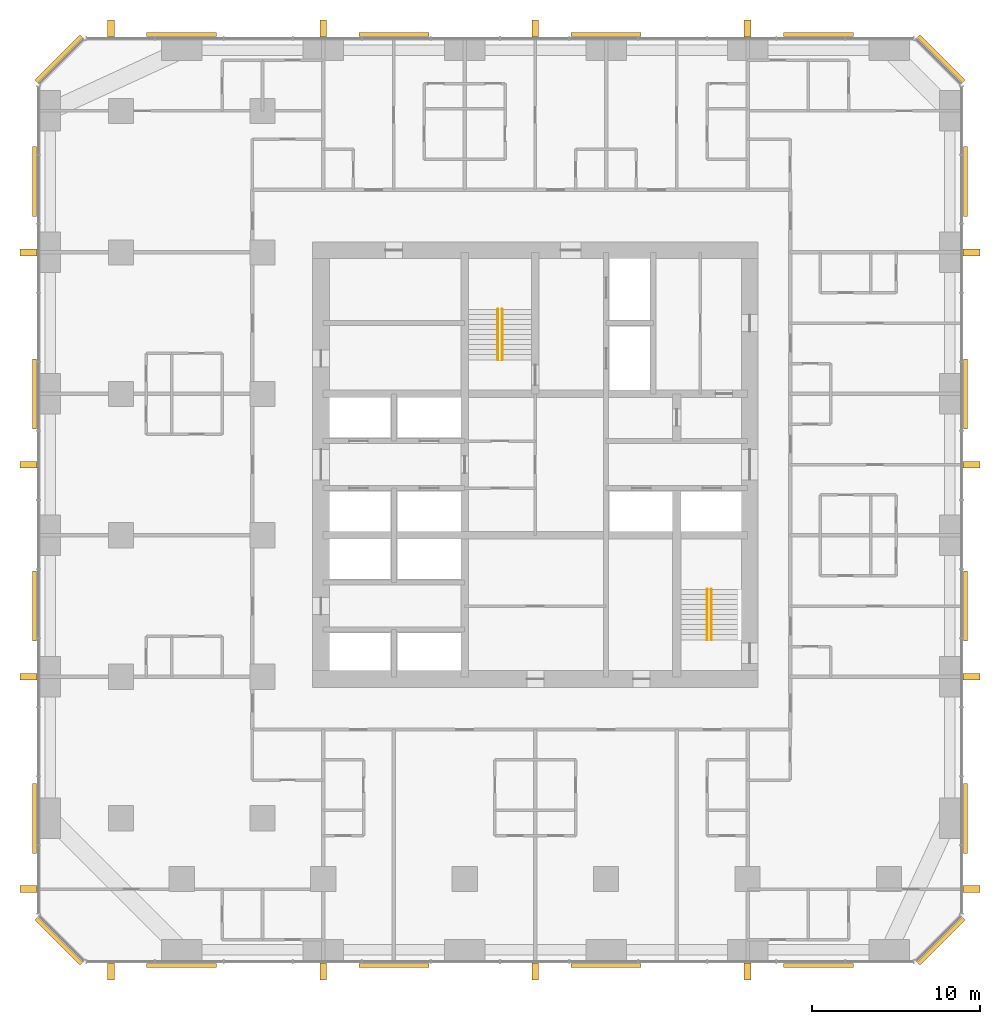
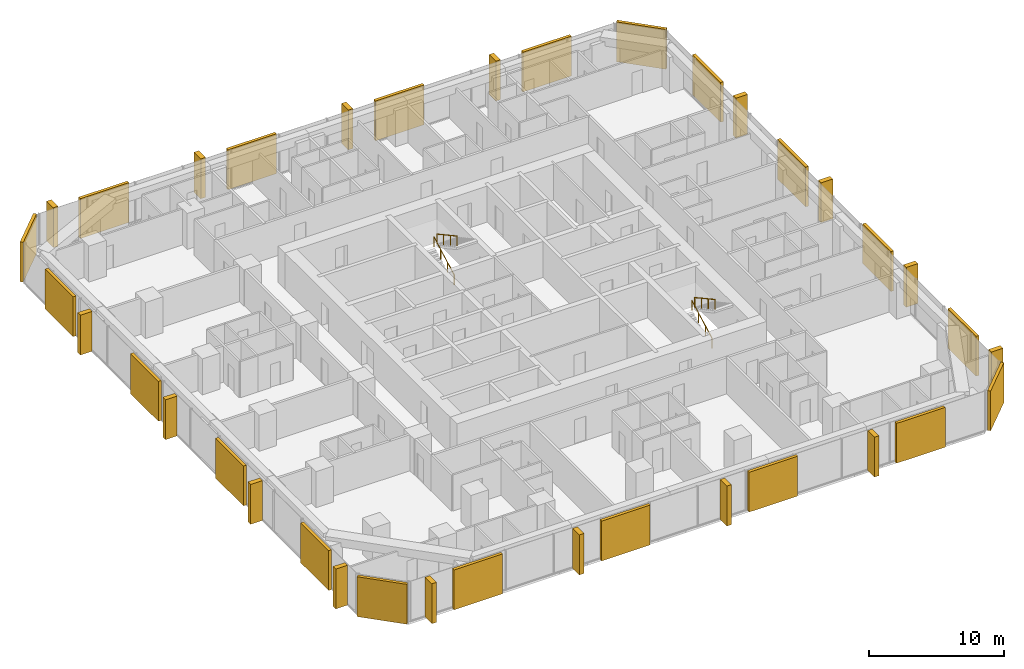
# One storey, part 14 of 14: 20 coverings, 16 shading devices, 4 railings.
"""IFC4 building model written with IfcOpenShell, lengths in metres."""

from ifc_helpers import new_model, si_unit, direction, frame, origin, origin_2d, place, context, subcontext, project, spatial, rectangle, circle, extrude, material, layer, layer_set, type_object, element, save


model = new_model("IFC4")

# Units and contexts
model_context = context("Model", 3, precision=1e-05, world=origin(), true_north=direction((0.0, 1.0)))
body_context = subcontext(model_context, "Body", "Model", "MODEL_VIEW")
ifc_project = project(units=[si_unit("LENGTHUNIT", "METRE"), si_unit("AREAUNIT", "SQUARE_METRE"), si_unit("VOLUMEUNIT", "CUBIC_METRE"), si_unit("PLANEANGLEUNIT", "RADIAN"), si_unit("MASSUNIT", "GRAM", prefix="KILO")], contexts=[model_context])

# Site, building, storey
site_placement = place(None, origin())
site = spatial("IfcSite", under=ifc_project, at=site_placement, CompositionType="ELEMENT")
building_placement = place(site_placement, origin())
building = spatial("IfcBuilding", under=site, at=building_placement, Name="Dunama Terrace Hotel", CompositionType="ELEMENT")
storey_placement = place(building_placement, frame((0.0, 0.0, 126.0)))
storey = spatial("IfcBuildingStorey", under=building, at=storey_placement, Name="L32", CompositionType="ELEMENT", Elevation=126.0)

# Railings
ifc_material_1 = material(Name="Stainless steel handrail", Category="steel")
railing_type = type_object("IfcRailingType", Name="Stair handrail 900", PredefinedType="HANDRAIL", material=ifc_material_1)
railing_1_placement = place(storey_placement, frame((27.175048828125, 35.625, 0.16357421875)))
element("IfcRailing", 1, at=railing_1_placement, inside=storey, type_object=railing_type, Name="Handrail ST1 L32", PredefinedType="HANDRAIL", context=body_context, shape_type="SweptSolid", body=[
    extrude(circle(Radius=0.02392578125, at=origin_2d()), frame((0.0, 0.0, 0.8759765625), z_axis=(0.0, 0.877881921179, 0.478877158013), x_axis=(-1.0, 0.0, 0.0)), (0.0, 0.0, 1.0), 3.417236328125),
    extrude(circle(Radius=0.02099609375, at=origin_2d()), origin(), (0.0, 0.0, 1.0), 0.851806640625),
    extrude(circle(Radius=0.02099609375, at=origin_2d()), frame((0.0, 1.0, 0.54541015625)), (0.0, 0.0, 1.0), 0.851806640625),
    extrude(circle(Radius=0.02099609375, at=origin_2d()), frame((0.0, 2.0, 1.091064453125)), (0.0, 0.0, 1.0), 0.851806640625),
    extrude(circle(Radius=0.02099609375, at=origin_2d()), frame((0.0, 3.0, 1.636474609375)), (0.0, 0.0, 1.0), 0.851806640625),
])
railing_2_placement = place(storey_placement, frame((27.425048828125, 38.625, 1.963623046875)))
element("IfcRailing", 2, at=railing_2_placement, inside=storey, type_object=railing_type, Name="Handrail ST1 L32", PredefinedType="HANDRAIL", context=body_context, shape_type="SweptSolid", body=[
    extrude(circle(Radius=0.02392578125, at=origin_2d()), frame((0.0, 0.0, 0.8759765625), z_axis=(0.0, -0.877881921179, 0.478877158013), x_axis=(1.0, 0.0, 0.0)), (0.0, 0.0, 1.0), 3.417236328125),
    extrude(circle(Radius=0.02099609375, at=origin_2d()), origin(), (0.0, 0.0, 1.0), 0.851806640625),
    extrude(circle(Radius=0.02099609375, at=origin_2d()), frame((0.0, -1.0, 0.54541015625)), (0.0, 0.0, 1.0), 0.851806640625),
    extrude(circle(Radius=0.02099609375, at=origin_2d()), frame((0.0, -2.0, 1.091064453125)), (0.0, 0.0, 1.0), 0.851806640625),
    extrude(circle(Radius=0.02099609375, at=origin_2d()), frame((0.0, -3.0, 1.636474609375)), (0.0, 0.0, 1.0), 0.851806640625),
])
railing_3_placement = place(storey_placement, frame((39.60009765625, 19.0, 0.16357421875)))
element("IfcRailing", 3, at=railing_3_placement, inside=storey, type_object=railing_type, Name="Handrail ST2 L32", PredefinedType="HANDRAIL", context=body_context, shape_type="SweptSolid", body=[
    extrude(circle(Radius=0.02392578125, at=origin_2d()), frame((0.0, 0.0, 0.8759765625), z_axis=(0.0, 0.877881921179, 0.478877158013), x_axis=(-1.0, 0.0, 0.0)), (0.0, 0.0, 1.0), 3.417236328125),
    extrude(circle(Radius=0.02099609375, at=origin_2d()), origin(), (0.0, 0.0, 1.0), 0.851806640625),
    extrude(circle(Radius=0.02099609375, at=origin_2d()), frame((0.0, 1.0, 0.54541015625)), (0.0, 0.0, 1.0), 0.851806640625),
    extrude(circle(Radius=0.02099609375, at=origin_2d()), frame((0.0, 2.0, 1.091064453125)), (0.0, 0.0, 1.0), 0.851806640625),
    extrude(circle(Radius=0.02099609375, at=origin_2d()), frame((0.0, 3.0, 1.636474609375)), (0.0, 0.0, 1.0), 0.851806640625),
])
railing_4_placement = place(storey_placement, frame((39.85009765625, 22.0, 1.963623046875)))
element("IfcRailing", 4, at=railing_4_placement, inside=storey, type_object=railing_type, Name="Handrail ST2 L32", PredefinedType="HANDRAIL", context=body_context, shape_type="SweptSolid", body=[
    extrude(circle(Radius=0.02392578125, at=origin_2d()), frame((0.0, 0.0, 0.8759765625), z_axis=(0.0, -0.877881921179, 0.478877158013), x_axis=(1.0, 0.0, 0.0)), (0.0, 0.0, 1.0), 3.417236328125),
    extrude(circle(Radius=0.02099609375, at=origin_2d()), origin(), (0.0, 0.0, 1.0), 0.851806640625),
    extrude(circle(Radius=0.02099609375, at=origin_2d()), frame((0.0, -1.0, 0.54541015625)), (0.0, 0.0, 1.0), 0.851806640625),
    extrude(circle(Radius=0.02099609375, at=origin_2d()), frame((0.0, -2.0, 1.091064453125)), (0.0, 0.0, 1.0), 0.851806640625),
    extrude(circle(Radius=0.02099609375, at=origin_2d()), frame((0.0, -3.0, 1.636474609375)), (0.0, 0.0, 1.0), 0.851806640625),
])

# Coverings
ifc_material_2 = material(Name="Warm reconstituted stone panel", Category="masonry")
ifc_layer_1 = layer(ifc_material_2, 0.25)
ifc_layer_set_1 = layer_set([ifc_layer_1], Name="Stone diagonal panel")
covering_type = type_object("IfcCoveringType", Name="Stone diagonal panel", PredefinedType="CLADDING", material=ifc_layer_set_1)
for number, where, z_axis, x_axis, name in (
    (5, (8.39990234375, -0.343017578125, 0.001953125), (0.0, 0.0, 1.0), (1.0, 0.0, 0.0), "Stone diagonal panel L32"),
    (6, (21.0, -0.343017578125, 0.001953125), (0.0, 0.0, 1.0), (1.0, 0.0, 0.0), "Stone diagonal panel L32"),
    (7, (33.60009765625, -0.343017578125, 0.001953125), (0.0, 0.0, 1.0), (1.0, 0.0, 0.0), "Stone diagonal panel L32"),
    (8, (46.199951171875, -0.343017578125, 0.001953125), (0.0, 0.0, 1.0), (1.0, 0.0, 0.0), "Stone diagonal panel L32"),
):
    element("IfcCovering", number, at=place(storey_placement, frame(where, z_axis=z_axis, x_axis=x_axis)), inside=storey, type_object=covering_type, Name=name, PredefinedType="CLADDING", context=body_context, shape_type="SweptSolid", body=[
        extrude(rectangle(XDim=4.14990234375, YDim=0.25, at=origin_2d()), origin(), (0.0, 0.0, 1.0), 3.595947265625),
    ])
covering_1_placement = place(storey_placement, frame((53.492919921875, 1.10693359375, 0.001953125), z_axis=(0.0, 0.0, 1.0), x_axis=(0.707106781187, 0.707106781187, 0.0)))
element("IfcCovering", 9, at=covering_1_placement, inside=storey, type_object=covering_type, Name="Stone diagonal panel L32", PredefinedType="CLADDING", context=body_context, shape_type="SweptSolid", body=[
    extrude(rectangle(XDim=3.808349609375, YDim=0.25, at=origin_2d()), origin(), (0.0, 0.0, 1.0), 3.595947265625),
])
for number, where, z_axis, x_axis, name in (
    (10, (54.943115234375, 8.39990234375, 0.001953125), (0.0, 0.0, 1.0), (0.0, 1.0, 0.0), "Stone diagonal panel L32"),
    (11, (54.943115234375, 21.0, 0.001953125), (0.0, 0.0, 1.0), (0.0, 1.0, 0.0), "Stone diagonal panel L32"),
    (12, (54.943115234375, 33.60009765625, 0.001953125), (0.0, 0.0, 1.0), (0.0, 1.0, 0.0), "Stone diagonal panel L32"),
    (13, (54.943115234375, 46.199951171875, 0.001953125), (0.0, 0.0, 1.0), (0.0, 1.0, 0.0), "Stone diagonal panel L32"),
):
    element("IfcCovering", number, at=place(storey_placement, frame(where, z_axis=z_axis, x_axis=x_axis)), inside=storey, type_object=covering_type, Name=name, PredefinedType="CLADDING", context=body_context, shape_type="SweptSolid", body=[
        extrude(rectangle(XDim=4.14990234375, YDim=0.25, at=origin_2d()), origin(), (0.0, 0.0, 1.0), 3.595947265625),
    ])
covering_2_placement = place(storey_placement, frame((53.492919921875, 53.492919921875, 0.001953125), z_axis=(0.0, 0.0, 1.0), x_axis=(-0.707106781187, 0.707106781187, 0.0)))
element("IfcCovering", 14, at=covering_2_placement, inside=storey, type_object=covering_type, Name="Stone diagonal panel L32", PredefinedType="CLADDING", context=body_context, shape_type="SweptSolid", body=[
    extrude(rectangle(XDim=3.808349609375, YDim=0.25, at=origin_2d()), origin(), (0.0, 0.0, 1.0), 3.595947265625),
])
for number, where, z_axis, x_axis, name in (
    (15, (46.199951171875, 54.943115234375, 0.001953125), (0.0, 0.0, 1.0), (-1.0, 0.0, 0.0), "Stone diagonal panel L32"),
    (16, (33.60009765625, 54.943115234375, 0.001953125), (0.0, 0.0, 1.0), (-1.0, 0.0, 0.0), "Stone diagonal panel L32"),
    (17, (21.0, 54.943115234375, 0.001953125), (0.0, 0.0, 1.0), (-1.0, 0.0, 0.0), "Stone diagonal panel L32"),
    (18, (8.39990234375, 54.943115234375, 0.001953125), (0.0, 0.0, 1.0), (-1.0, 0.0, 0.0), "Stone diagonal panel L32"),
):
    element("IfcCovering", number, at=place(storey_placement, frame(where, z_axis=z_axis, x_axis=x_axis)), inside=storey, type_object=covering_type, Name=name, PredefinedType="CLADDING", context=body_context, shape_type="SweptSolid", body=[
        extrude(rectangle(XDim=4.14990234375, YDim=0.25, at=origin_2d()), origin(), (0.0, 0.0, 1.0), 3.595947265625),
    ])
covering_3_placement = place(storey_placement, frame((1.10693359375, 53.492919921875, 0.001953125), z_axis=(0.0, 0.0, 1.0), x_axis=(-0.707106781187, -0.707106781187, 0.0)))
element("IfcCovering", 19, at=covering_3_placement, inside=storey, type_object=covering_type, Name="Stone diagonal panel L32", PredefinedType="CLADDING", context=body_context, shape_type="SweptSolid", body=[
    extrude(rectangle(XDim=3.808349609375, YDim=0.25, at=origin_2d()), origin(), (0.0, 0.0, 1.0), 3.595947265625),
])
for number, where, z_axis, x_axis, name in (
    (20, (-0.343017578125, 46.199951171875, 0.001953125), (0.0, 0.0, 1.0), (0.0, -1.0, 0.0), "Stone diagonal panel L32"),
    (21, (-0.343017578125, 33.60009765625, 0.001953125), (0.0, 0.0, 1.0), (0.0, -1.0, 0.0), "Stone diagonal panel L32"),
    (22, (-0.343017578125, 21.0, 0.001953125), (0.0, 0.0, 1.0), (0.0, -1.0, 0.0), "Stone diagonal panel L32"),
    (23, (-0.343017578125, 8.39990234375, 0.001953125), (0.0, 0.0, 1.0), (0.0, -1.0, 0.0), "Stone diagonal panel L32"),
):
    element("IfcCovering", number, at=place(storey_placement, frame(where, z_axis=z_axis, x_axis=x_axis)), inside=storey, type_object=covering_type, Name=name, PredefinedType="CLADDING", context=body_context, shape_type="SweptSolid", body=[
        extrude(rectangle(XDim=4.14990234375, YDim=0.25, at=origin_2d()), origin(), (0.0, 0.0, 1.0), 3.595947265625),
    ])
covering_4_placement = place(storey_placement, frame((1.10693359375, 1.10693359375, 0.001953125), z_axis=(0.0, 0.0, 1.0), x_axis=(0.707106781187, -0.707106781187, 0.0)))
element("IfcCovering", 24, at=covering_4_placement, inside=storey, type_object=covering_type, Name="Stone diagonal panel L32", PredefinedType="CLADDING", context=body_context, shape_type="SweptSolid", body=[
    extrude(rectangle(XDim=3.808349609375, YDim=0.25, at=origin_2d()), origin(), (0.0, 0.0, 1.0), 3.595947265625),
])

# Shading devices
ifc_material_3 = material(Name="Warm reconstituted stone fin", Category="masonry")
ifc_layer_2 = layer(ifc_material_3, 0.39990234375)
ifc_layer_set_2 = layer_set([ifc_layer_2], Name="Warm stone fin 400x1000")
shading_device_type = type_object("IfcShadingDeviceType", Name="Warm stone fin 400x1000", PredefinedType="USERDEFINED", material=ifc_layer_set_2)
for number, where, z_axis, x_axis, name in (
    (25, (4.199951171875, -0.697998046875, 0.0), (0.0, 0.0, 1.0), (1.0, 0.0, 0.0), "Stone fin"),
    (26, (16.800048828125, -0.697998046875, 0.0), (0.0, 0.0, 1.0), (1.0, 0.0, 0.0), "Stone fin"),
    (27, (29.39990234375, -0.697998046875, 0.0), (0.0, 0.0, 1.0), (1.0, 0.0, 0.0), "Stone fin"),
    (28, (42.0, -0.697998046875, 0.0), (0.0, 0.0, 1.0), (1.0, 0.0, 0.0), "Stone fin"),
    (29, (55.298095703125, 4.199951171875, 0.0), (0.0, 0.0, 1.0), (0.0, 1.0, 0.0), "Stone fin"),
    (30, (55.298095703125, 16.800048828125, 0.0), (0.0, 0.0, 1.0), (0.0, 1.0, 0.0), "Stone fin"),
    (31, (55.298095703125, 29.39990234375, 0.0), (0.0, 0.0, 1.0), (0.0, 1.0, 0.0), "Stone fin"),
    (32, (55.298095703125, 42.0, 0.0), (0.0, 0.0, 1.0), (0.0, 1.0, 0.0), "Stone fin"),
    (33, (42.0, 55.298095703125, 0.0), (0.0, 0.0, 1.0), (-1.0, 0.0, 0.0), "Stone fin"),
    (34, (29.39990234375, 55.298095703125, 0.0), (0.0, 0.0, 1.0), (-1.0, 0.0, 0.0), "Stone fin"),
    (35, (16.800048828125, 55.298095703125, 0.0), (0.0, 0.0, 1.0), (-1.0, 0.0, 0.0), "Stone fin"),
    (36, (4.199951171875, 55.298095703125, 0.0), (0.0, 0.0, 1.0), (-1.0, 0.0, 0.0), "Stone fin"),
    (37, (-0.697998046875, 42.0, 0.0), (0.0, 0.0, 1.0), (0.0, -1.0, 0.0), "Stone fin"),
    (38, (-0.697998046875, 29.39990234375, 0.0), (0.0, 0.0, 1.0), (0.0, -1.0, 0.0), "Stone fin"),
    (39, (-0.697998046875, 16.800048828125, 0.0), (0.0, 0.0, 1.0), (0.0, -1.0, 0.0), "Stone fin"),
    (40, (-0.697998046875, 4.199951171875, 0.0), (0.0, 0.0, 1.0), (0.0, -1.0, 0.0), "Stone fin"),
):
    element("IfcShadingDevice", number, at=place(storey_placement, frame(where, z_axis=z_axis, x_axis=x_axis)), inside=storey, type_object=shading_device_type, Name=name, ObjectType="FIN", PredefinedType="USERDEFINED", context=body_context, shape_type="SweptSolid", body=[
        extrude(rectangle(XDim=0.39990234375, YDim=1.0, at=origin_2d()), origin(), (0.0, 0.0, 1.0), 3.60009765625),
    ])

save(model, "model.ifc")
